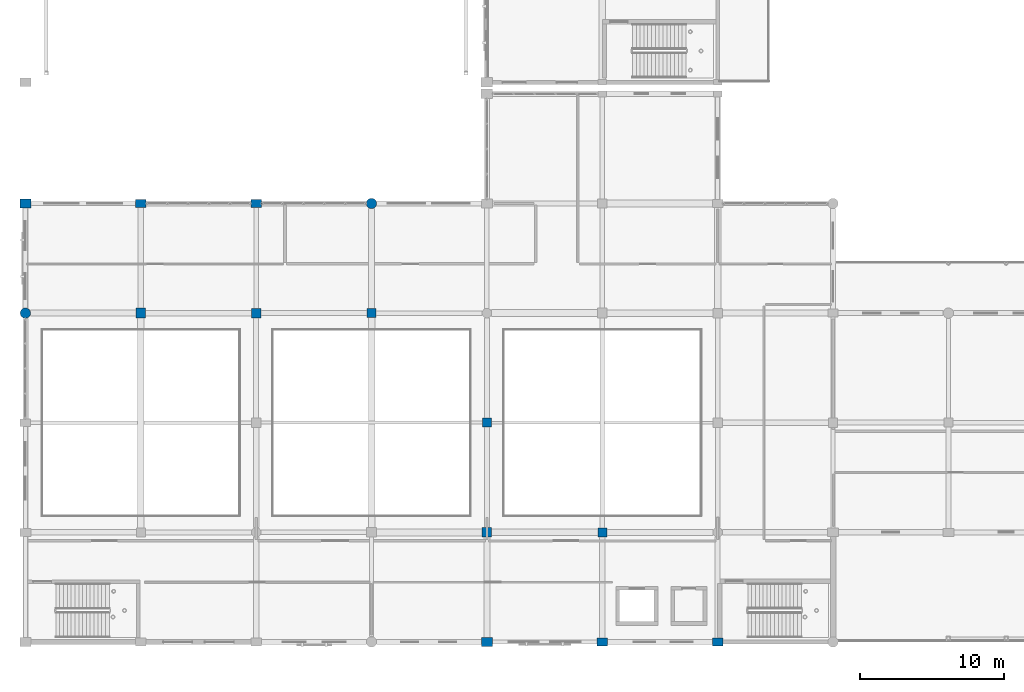
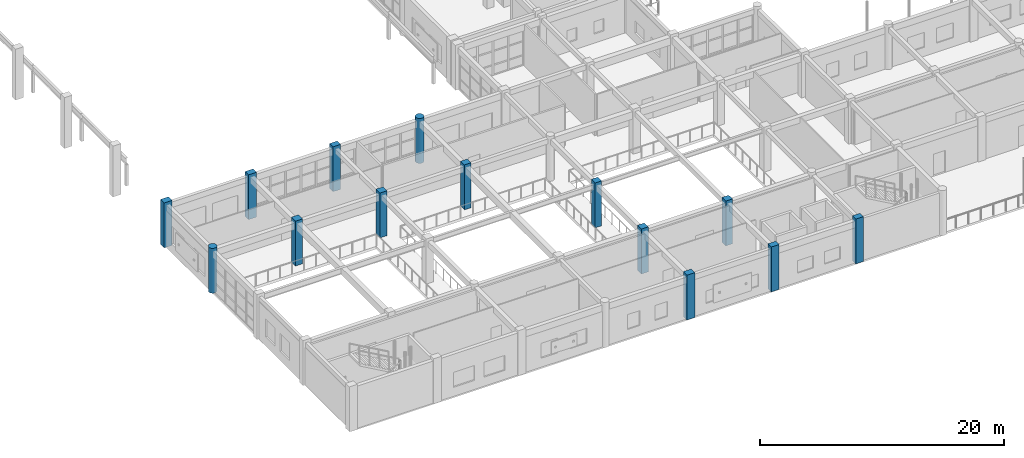
# One storey, part 2 of 160: 14 columns.
"""IFC4 building model written with IfcOpenShell, lengths in metres."""

from ifc_helpers import new_model, si_unit, direction, frame, origin, origin_2d, place, context, subcontext, project, spatial, rectangle, circle, extrude, material, material_profile, profile_set, type_object, element, save


model = new_model("IFC4")

# Units and contexts
model_context = context("Model", 3, precision=1e-05, world=origin(), true_north=direction((0.0, 1.0)))
body_context = subcontext(model_context, "Body", "Model", "MODEL_VIEW")
ifc_project = project(units=[si_unit("LENGTHUNIT", "METRE"), si_unit("AREAUNIT", "SQUARE_METRE"), si_unit("VOLUMEUNIT", "CUBIC_METRE"), si_unit("PLANEANGLEUNIT", "RADIAN"), si_unit("MASSUNIT", "GRAM", prefix="KILO")], contexts=[model_context])

# Site, building, storey
site_placement = place(None, origin())
site = spatial("IfcSite", under=ifc_project, at=site_placement, CompositionType="ELEMENT")
building_placement = place(site_placement, origin())
building = spatial("IfcBuilding", under=site, at=building_placement, Name="Kharva Crest Polytechnic", CompositionType="ELEMENT")
storey_placement = place(building_placement, frame((0.0, 0.0, 4.5)))
storey = spatial("IfcBuildingStorey", under=building, at=storey_placement, Name="L01", CompositionType="ELEMENT", Elevation=4.5)

# Columns
ifc_material = material(Name="Concrete C40/50", Category="concrete")
ifc_material_profile_1 = material_profile(ifc_material, rectangle(XDim=0.719970703125, YDim=0.550048828125, at=origin_2d()), Name="RECT 720 X 550")
ifc_profile_set_1 = profile_set([ifc_material_profile_1], Name="Concrete C40/50")
column_type_1 = type_object("IfcColumnType", Name="COL-EXT-720X550", PredefinedType="COLUMN", material=ifc_profile_set_1)
for number, where, z_axis, x_axis, name in (
    (1, (16.0, 30.39990234375, 0.0), (0.0, 0.0, 1.0), (1.0, 0.0, 0.0), "L01 Column 3/E"),
    (2, (48.0, 0.0, 0.0), (0.0, 0.0, 1.0), (1.0, 0.0, 0.0), "L01 Column 7/A"),
):
    element("IfcColumn", number, at=place(storey_placement, frame(where, z_axis=z_axis, x_axis=x_axis)), inside=storey, type_object=column_type_1, Name=name, PredefinedType="COLUMN", context=body_context, shape_type="SweptSolid", body=[
        extrude(rectangle(XDim=0.719970703125, YDim=0.550048828125, at=origin_2d()), origin(), (0.0, 0.0, 1.0), 4.5),
    ])
ifc_material_profile_2 = material_profile(ifc_material, rectangle(XDim=0.75, YDim=0.550048828125, at=origin_2d()), Name="RECT 750 X 550")
ifc_profile_set_2 = profile_set([ifc_material_profile_2], Name="Concrete C40/50")
column_type_2 = type_object("IfcColumnType", Name="COL-EXT-750X550", PredefinedType="COLUMN", material=ifc_profile_set_2)
for number, where, z_axis, x_axis, name in (
    (3, (8.0, 30.39990234375, 0.0), (0.0, 0.0, 1.0), (1.0, 0.0, 0.0), "L01 Column 2/E"),
    (4, (40.0, 0.0, 0.0), (0.0, 0.0, 1.0), (1.0, 0.0, 0.0), "L01 Column 6/A"),
):
    element("IfcColumn", number, at=place(storey_placement, frame(where, z_axis=z_axis, x_axis=x_axis)), inside=storey, type_object=column_type_2, Name=name, PredefinedType="COLUMN", context=body_context, shape_type="SweptSolid", body=[
        extrude(rectangle(XDim=0.75, YDim=0.550048828125, at=origin_2d()), origin(), (0.0, 0.0, 1.0), 4.5),
    ])
ifc_material_profile_3 = material_profile(ifc_material, rectangle(XDim=0.75, YDim=0.60009765625, at=origin_2d()), Name="RECT 750 X 600")
ifc_profile_set_3 = profile_set([ifc_material_profile_3], Name="Concrete C40/50")
column_type_3 = type_object("IfcColumnType", Name="COL-EXT-750X600", PredefinedType="COLUMN", material=ifc_profile_set_3)
for number, where, z_axis, x_axis, name in (
    (5, (0.0, 30.39990234375, 0.0), (0.0, 0.0, 1.0), (1.0, 0.0, 0.0), "L01 Column 1/E"),
    (6, (32.0, 0.0, 0.0), (0.0, 0.0, 1.0), (1.0, 0.0, 0.0), "L01 Column 5/A"),
):
    element("IfcColumn", number, at=place(storey_placement, frame(where, z_axis=z_axis, x_axis=x_axis)), inside=storey, type_object=column_type_3, Name=name, PredefinedType="COLUMN", context=body_context, shape_type="SweptSolid", body=[
        extrude(rectangle(XDim=0.75, YDim=0.60009765625, at=origin_2d()), origin(), (0.0, 0.0, 1.0), 4.5),
    ])
ifc_material_profile_4 = material_profile(ifc_material, circle(Radius=0.360107421875, at=origin_2d()), Name="DIA 720")
ifc_profile_set_4 = profile_set([ifc_material_profile_4], Name="Concrete C40/50")
column_type_4 = type_object("IfcColumnType", Name="COL-EXT-DIA720", PredefinedType="COLUMN", material=ifc_profile_set_4)
for number, where, z_axis, x_axis, name in (
    (7, (0.0, 22.800048828125, 0.0), (0.0, 0.0, 1.0), (1.0, 0.0, 0.0), "L01 Column 1/D"),
    (8, (24.0, 30.39990234375, 0.0), (0.0, 0.0, 1.0), (1.0, 0.0, 0.0), "L01 Column 4/E"),
):
    element("IfcColumn", number, at=place(storey_placement, frame(where, z_axis=z_axis, x_axis=x_axis)), inside=storey, type_object=column_type_4, Name=name, PredefinedType="COLUMN", context=body_context, shape_type="SweptSolid", body=[
        extrude(circle(Radius=0.360107421875, at=origin_2d()), origin(), (0.0, 0.0, 1.0), 4.5),
    ])
ifc_material_profile_5 = material_profile(ifc_material, rectangle(XDim=0.6201171875, YDim=0.6201171875, at=origin_2d()), Name="RECT 620 X 620")
ifc_profile_set_5 = profile_set([ifc_material_profile_5], Name="Concrete C40/50")
column_type_5 = type_object("IfcColumnType", Name="COL-INT-620X620", PredefinedType="COLUMN", material=ifc_profile_set_5)
for number, where, z_axis, x_axis, name in (
    (9, (24.0, 22.800048828125, 0.0), (0.0, 0.0, 1.0), (1.0, 0.0, 0.0), "L01 Column 4/D"),
    (10, (32.0, 15.199951171875, 0.0), (0.0, 0.0, 1.0), (1.0, 0.0, 0.0), "L01 Column 5/C"),
    (11, (40.0, 7.60009765625, 0.0), (0.0, 0.0, 1.0), (1.0, 0.0, 0.0), "L01 Column 6/B"),
):
    element("IfcColumn", number, at=place(storey_placement, frame(where, z_axis=z_axis, x_axis=x_axis)), inside=storey, type_object=column_type_5, Name=name, PredefinedType="COLUMN", context=body_context, shape_type="SweptSolid", body=[
        extrude(rectangle(XDim=0.6201171875, YDim=0.6201171875, at=origin_2d()), origin(), (0.0, 0.0, 1.0), 4.5),
    ])
ifc_material_profile_6 = material_profile(ifc_material, rectangle(XDim=0.64990234375, YDim=0.64990234375, at=origin_2d()), Name="RECT 650 X 650")
ifc_profile_set_6 = profile_set([ifc_material_profile_6], Name="Concrete C40/50")
column_type_6 = type_object("IfcColumnType", Name="COL-INT-650X650", PredefinedType="COLUMN", material=ifc_profile_set_6)
for number, where, z_axis, x_axis, name in (
    (12, (16.0, 22.800048828125, 0.0), (0.0, 0.0, 1.0), (1.0, 0.0, 0.0), "L01 Column 3/D"),
    (13, (32.0, 7.60009765625, 0.0), (0.0, 0.0, 1.0), (1.0, 0.0, 0.0), "L01 Column 5/B"),
):
    element("IfcColumn", number, at=place(storey_placement, frame(where, z_axis=z_axis, x_axis=x_axis)), inside=storey, type_object=column_type_6, Name=name, PredefinedType="COLUMN", context=body_context, shape_type="SweptSolid", body=[
        extrude(rectangle(XDim=0.64990234375, YDim=0.64990234375, at=origin_2d()), origin(), (0.0, 0.0, 1.0), 4.5),
    ])
ifc_material_profile_7 = material_profile(ifc_material, rectangle(XDim=0.679931640625, YDim=0.679931640625, at=origin_2d()), Name="RECT 680 X 680")
ifc_profile_set_7 = profile_set([ifc_material_profile_7], Name="Concrete C40/50")
column_type_7 = type_object("IfcColumnType", Name="COL-INT-680X680", PredefinedType="COLUMN", material=ifc_profile_set_7)
column_placement = place(storey_placement, frame((8.0, 22.800048828125, 0.0), z_axis=(0.0, 0.0, 1.0), x_axis=(1.0, 0.0, 0.0)))
element("IfcColumn", 14, at=column_placement, inside=storey, type_object=column_type_7, Name="L01 Column 2/D", PredefinedType="COLUMN", context=body_context, shape_type="SweptSolid", body=[
    extrude(rectangle(XDim=0.679931640625, YDim=0.679931640625, at=origin_2d()), origin(), (0.0, 0.0, 1.0), 4.5),
])

save(model, "model.ifc")
